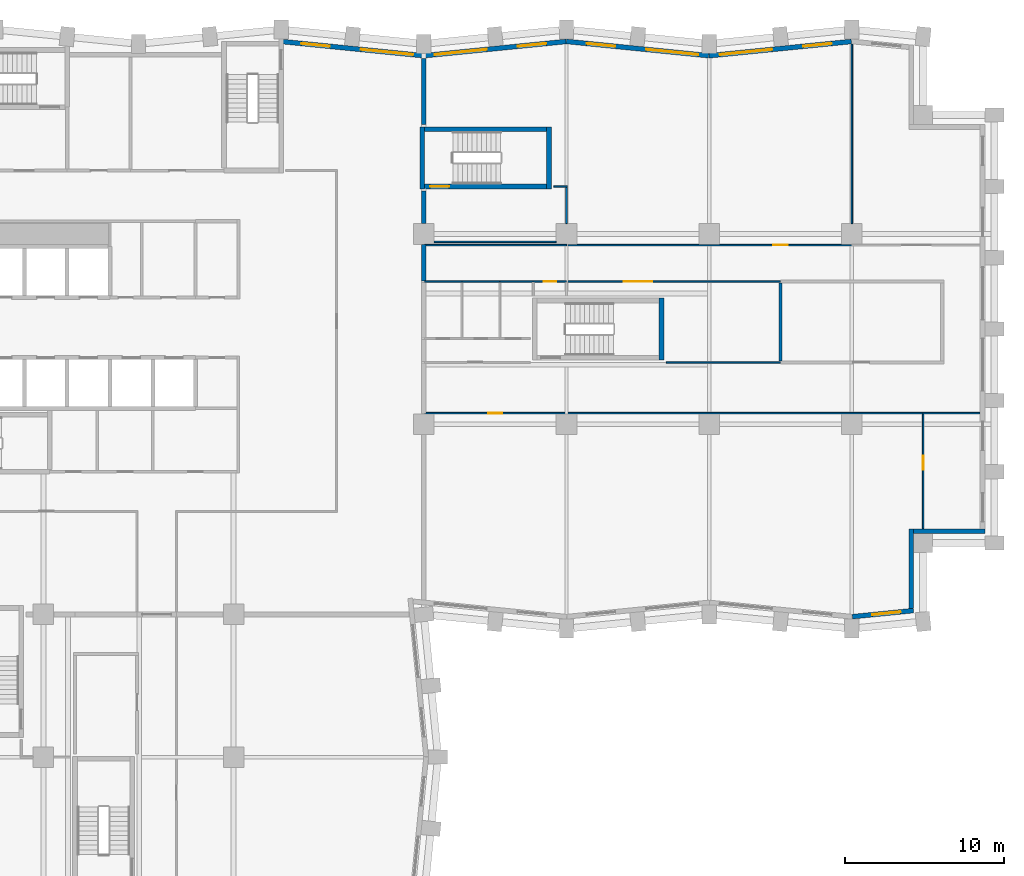
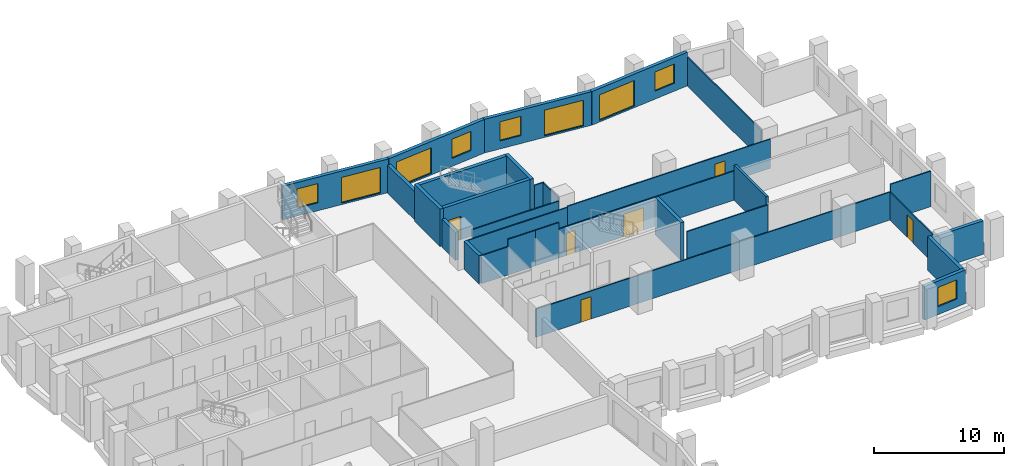
# One storey, part 7 of 11: 31 walls, 9 windows, 6 doors, 15 openings.
"""IFC4 building model written with IfcOpenShell, lengths in metres."""

from ifc_helpers import new_model, si_unit, direction, frame, frame_2d, origin, place, context, subcontext, project, spatial, rectangle, extrude, material, layer, layer_set, type_object, element, fill, save


model = new_model("IFC4")

# Units and contexts
model_context = context("Model", 3, precision=1e-05, world=origin(), true_north=direction((0.0, 1.0)))
body_context = subcontext(model_context, "Body", "Model", "MODEL_VIEW")
ifc_project = project(units=[si_unit("LENGTHUNIT", "METRE"), si_unit("AREAUNIT", "SQUARE_METRE"), si_unit("VOLUMEUNIT", "CUBIC_METRE"), si_unit("PLANEANGLEUNIT", "RADIAN"), si_unit("MASSUNIT", "GRAM", prefix="KILO")], contexts=[model_context])

# Site, building, storey
site_placement = place(None, origin())
site = spatial("IfcSite", under=ifc_project, at=site_placement, CompositionType="ELEMENT")
building_placement = place(site_placement, origin())
building = spatial("IfcBuilding", under=site, at=building_placement, Name="Brondeck Convention Tower", CompositionType="ELEMENT")
storey_placement = place(building_placement, frame((0.0, 0.0, 130.300048828125)))
storey = spatial("IfcBuildingStorey", under=building, at=storey_placement, Name="L31", CompositionType="ELEMENT", Elevation=130.300048828125)

# Walls
ifc_material_1 = material(Name="Concrete compartment wall C30/37", Category="concrete")
ifc_layer_1 = layer(ifc_material_1, 0.300048828125)
ifc_layer_set_1 = layer_set([ifc_layer_1], Name="Compartment wall 300")
wall_type_1 = type_object("IfcWallType", Name="Compartment wall 300", PredefinedType="PARTITIONING", material=ifc_layer_set_1)
wall_1_placement = place(storey_placement, frame((36.0, 48.050048828125, 0.0), z_axis=(0.0, 0.0, 1.0), x_axis=(0.0, 1.0, 0.0)))
element("IfcWall", 1, at=wall_1_placement, inside=storey, type_object=wall_type_1, Name="FLR-L31-W050", PredefinedType="PARTITIONING", context=body_context, shape_type="SweptSolid", body=[
    extrude(rectangle(XDim=2.280029296875, YDim=0.300048828125, at=frame_2d((1.14013671875, 0.0))), origin(), (0.0, 0.0, 1.0), 2.6298828125),
])
wall_2_placement = place(storey_placement, frame((36.0, 51.655029296875, 0.0), z_axis=(0.0, 0.0, 1.0), x_axis=(0.0, 1.0, 0.0)))
element("IfcWall", 2, at=wall_2_placement, inside=storey, type_object=wall_type_1, Name="FLR-L31-W055", PredefinedType="PARTITIONING", context=body_context, shape_type="SweptSolid", body=[
    extrude(rectangle(XDim=2.044921875, YDim=0.300048828125, at=frame_2d((1.0224609375, 0.0))), origin(), (0.0, 0.0, 1.0), 2.6298828125),
])
wall_3_placement = place(storey_placement, frame((36.0, 57.89990234375, 0.0), z_axis=(0.0, 0.0, 1.0), x_axis=(0.0, 1.0, 0.0)))
element("IfcWall", 3, at=wall_3_placement, inside=storey, type_object=wall_type_1, Name="FLR-L31-W060", PredefinedType="PARTITIONING", context=body_context, shape_type="SweptSolid", body=[
    extrude(rectangle(XDim=4.175537109375, YDim=0.300048828125, at=frame_2d((2.087890625, 0.0))), origin(), (0.0, 0.0, 1.0), 2.6298828125),
])

# Wall, opening, window
ifc_material_2 = material(Name="Precast concrete C50/60 bronze finish", Category="concrete")
ifc_layer_2 = layer(ifc_material_2, 0.070068359375, Name="Bronze precast facing")
ifc_material_3 = material(Name="Mineral wool")
ifc_layer_3 = layer(ifc_material_3, 0.159912109375, Name="Insulation")
ifc_material_4 = material(Name="Concrete C35/45", Category="concrete")
ifc_layer_4 = layer(ifc_material_4, 0.070068359375, Name="Backing")
ifc_layer_set_2 = layer_set([ifc_layer_2, ifc_layer_3, ifc_layer_4], Name="External infill wall, precast concrete C50/60 bronze facing")
wall_type_2 = type_object("IfcWallType", Name="External infill wall, precast concrete C50/60 bronze facing", PredefinedType="SOLIDWALL", material=ifc_layer_set_2)
wall_4_placement = place(storey_placement, frame((66.885009765625, 27.2421875, 0.0), z_axis=(0.0, 0.0, 1.0), x_axis=(-0.995037814081, -0.099497480111, 0.0)))
wall_4 = element("IfcWall", 4, at=wall_4_placement, inside=storey, type_object=wall_type_2, Name="ENV-EW-L31-P0-A-S-06", PredefinedType="SOLIDWALL", context=body_context, shape_type="SweptSolid", body=[
    extrude(rectangle(XDim=3.87451171875, YDim=0.300048828125, at=frame_2d((1.937255859375, 0.0))), origin(), (0.0, 0.0, 1.0), 3.14990234375),
])
opening_1_placement = place(wall_4_placement, frame((0.818359375, 0.0, 0.75)))
opening_1 = element("IfcOpeningElement", 5, at=opening_1_placement, cuts=wall_4, Name="Opening W10", PredefinedType="OPENING", context=body_context, shape_type="SweptSolid", body=[
    extrude(rectangle(XDim=1.800048828125, YDim=1.800048828125, at=frame_2d((0.89990234375, 0.89990234375))), frame((0.0, 0.159912109375, 0.0), z_axis=(0.0, -1.0, 0.0), x_axis=(1.0, 0.0, 0.0)), (0.0, 0.0, 1.0), 0.320068359375),
])
ifc_material_5 = material(Name="Bronze tinted double glazing", Category="glass")
window_type_1 = type_object("IfcWindowType", Name="Punched window, bronze tinted", PartitioningType="SINGLE_PANEL", PredefinedType="WINDOW", material=ifc_material_5)
window_1_placement = place(opening_1_placement, origin())
window_1 = element("IfcWindow", 6, at=window_1_placement, inside=storey, type_object=window_type_1, Name="ENV-WN-L31-P0-A-S-06", OverallHeight=1.800048828125, OverallWidth=1.800048828125, PartitioningType="SINGLE_PANEL", PredefinedType="WINDOW", context=body_context, shape_type="SweptSolid", body=[
    extrude(rectangle(XDim=1.800048828125, YDim=1.800048828125, at=frame_2d((0.89990234375, 0.89990234375))), frame((0.0, 0.030029296875, 0.0), z_axis=(0.0, -1.0, 0.0), x_axis=(1.0, 0.0, 0.0)), (0.0, 0.0, 1.0), 0.06005859375),
])
fill(opening_1, window_1)

# Walls
wall_5_placement = place(storey_placement, frame((66.75, 32.39990234375, 0.0), z_axis=(0.0, 0.0, 1.0), x_axis=(0.0, -1.0, 0.0)))
element("IfcWall", 7, at=wall_5_placement, inside=storey, type_object=wall_type_2, Name="ENV-EW-L31-P0-NC-SEA72-01", PredefinedType="SOLIDWALL", context=body_context, shape_type="SweptSolid", body=[
    extrude(rectangle(XDim=5.019287109375, YDim=0.300048828125, at=frame_2d((2.509765625, 0.0))), origin(), (0.0, 0.0, 1.0), 3.14990234375),
])
wall_6_placement = place(storey_placement, frame((71.39990234375, 32.25, 0.0), z_axis=(0.0, 0.0, 1.0), x_axis=(-1.0, 0.0, 0.0)))
element("IfcWall", 8, at=wall_6_placement, inside=storey, type_object=wall_type_2, Name="ENV-EW-L31-P0-NC-SEA72-02", PredefinedType="SOLIDWALL", context=body_context, shape_type="SweptSolid", body=[
    extrude(rectangle(XDim=4.5, YDim=0.300048828125, at=frame_2d((2.25, 0.0))), origin(), (0.0, 0.0, 1.0), 3.14990234375),
])

# Wall, openings, windows
wall_7_placement = place(storey_placement, frame((53.985107421875, 62.244873046875, 0.0), z_axis=(0.0, 0.0, 1.0), x_axis=(0.995037993253, 0.099495688264, 0.0)))
wall_7 = element("IfcWall", 9, at=wall_7_placement, inside=storey, type_object=wall_type_2, Name="ENV-EW-L31-P0-A-N-13", PredefinedType="SOLIDWALL", context=body_context, shape_type="SweptSolid", body=[
    extrude(rectangle(XDim=9.030029296875, YDim=0.300048828125, at=frame_2d((4.51513671875, 0.0))), origin(), (0.0, 0.0, 1.0), 3.14990234375),
])
opening_2_placement = place(wall_7_placement, frame((0.701171875, 0.0, 0.14990234375)))
opening_2 = element("IfcOpeningElement", 10, at=opening_2_placement, cuts=wall_7, Name="Opening W9", PredefinedType="OPENING", context=body_context, shape_type="SweptSolid", body=[
    extrude(rectangle(XDim=3.300048828125, YDim=2.39990234375, at=frame_2d((1.64990234375, 1.199951171875))), frame((0.0, 0.159912109375, 0.0), z_axis=(0.0, -1.0, 0.0), x_axis=(1.0, 0.0, 0.0)), (0.0, 0.0, 1.0), 0.320068359375),
])
opening_3_placement = place(wall_7_placement, frame((5.9736328125, 0.0, 0.75)))
opening_3 = element("IfcOpeningElement", 11, at=opening_3_placement, cuts=wall_7, Name="Opening W10", PredefinedType="OPENING", context=body_context, shape_type="SweptSolid", body=[
    extrude(rectangle(XDim=1.800048828125, YDim=1.800048828125, at=frame_2d((0.89990234375, 0.89990234375))), frame((0.0, 0.159912109375, 0.0), z_axis=(0.0, -1.0, 0.0), x_axis=(1.0, 0.0, 0.0)), (0.0, 0.0, 1.0), 0.320068359375),
])
window_type_2 = type_object("IfcWindowType", Name="Glazed flute window, bronze tinted", PartitioningType="SINGLE_PANEL", PredefinedType="WINDOW", material=ifc_material_5)
window_2_placement = place(opening_2_placement, origin())
window_2 = element("IfcWindow", 12, at=window_2_placement, inside=storey, type_object=window_type_2, Name="ENV-WN-L31-P0-A-N-12", OverallHeight=2.39990234375, OverallWidth=3.300048828125, PartitioningType="SINGLE_PANEL", PredefinedType="WINDOW", context=body_context, shape_type="SweptSolid", body=[
    extrude(rectangle(XDim=3.300048828125, YDim=2.39990234375, at=frame_2d((1.64990234375, 1.199951171875))), frame((0.0, 0.030029296875, 0.0), z_axis=(0.0, -1.0, 0.0), x_axis=(1.0, 0.0, 0.0)), (0.0, 0.0, 1.0), 0.06005859375),
])
fill(opening_2, window_2)
window_3_placement = place(opening_3_placement, origin())
window_3 = element("IfcWindow", 13, at=window_3_placement, inside=storey, type_object=window_type_1, Name="ENV-WN-L31-P0-A-N-13", OverallHeight=1.800048828125, OverallWidth=1.800048828125, PartitioningType="SINGLE_PANEL", PredefinedType="WINDOW", context=body_context, shape_type="SweptSolid", body=[
    extrude(rectangle(XDim=1.800048828125, YDim=1.800048828125, at=frame_2d((0.89990234375, 0.89990234375))), frame((0.0, 0.030029296875, 0.0), z_axis=(0.0, -1.0, 0.0), x_axis=(1.0, 0.0, 0.0)), (0.0, 0.0, 1.0), 0.06005859375),
])
fill(opening_3, window_3)

wall_8_placement = place(storey_placement, frame((44.985107421875, 63.147705078125, 0.0), z_axis=(0.0, 0.0, 1.0), x_axis=(0.995037993253, -0.099495688264, 0.0)))
wall_8 = element("IfcWall", 14, at=wall_8_placement, inside=storey, type_object=wall_type_2, Name="ENV-EW-L31-P0-A-N-11", PredefinedType="SOLIDWALL", context=body_context, shape_type="SweptSolid", body=[
    extrude(rectangle(XDim=9.030029296875, YDim=0.300048828125, at=frame_2d((4.51513671875, 0.0))), origin(), (0.0, 0.0, 1.0), 3.14990234375),
])
opening_4_placement = place(wall_8_placement, frame((1.30126953125, 0.0, 0.75)))
opening_4 = element("IfcOpeningElement", 15, at=opening_4_placement, cuts=wall_8, Name="Opening W10", PredefinedType="OPENING", context=body_context, shape_type="SweptSolid", body=[
    extrude(rectangle(XDim=1.800048828125, YDim=1.800048828125, at=frame_2d((0.89990234375, 0.89990234375))), frame((0.0, 0.159912109375, 0.0), z_axis=(0.0, -1.0, 0.0), x_axis=(1.0, 0.0, 0.0)), (0.0, 0.0, 1.0), 0.320068359375),
])
opening_5_placement = place(wall_8_placement, frame((5.073486328125, 0.0, 0.14990234375)))
opening_5 = element("IfcOpeningElement", 16, at=opening_5_placement, cuts=wall_8, Name="Opening W9", PredefinedType="OPENING", context=body_context, shape_type="SweptSolid", body=[
    extrude(rectangle(XDim=3.300048828125, YDim=2.39990234375, at=frame_2d((1.64990234375, 1.199951171875))), frame((0.0, 0.159912109375, 0.0), z_axis=(0.0, -1.0, 0.0), x_axis=(1.0, 0.0, 0.0)), (0.0, 0.0, 1.0), 0.320068359375),
])
window_4_placement = place(opening_5_placement, origin())
window_4 = element("IfcWindow", 17, at=window_4_placement, inside=storey, type_object=window_type_2, Name="ENV-WN-L31-P0-A-N-11", OverallHeight=2.39990234375, OverallWidth=3.300048828125, PartitioningType="SINGLE_PANEL", PredefinedType="WINDOW", context=body_context, shape_type="SweptSolid", body=[
    extrude(rectangle(XDim=3.300048828125, YDim=2.39990234375, at=frame_2d((1.64990234375, 1.199951171875))), frame((0.0, 0.030029296875, 0.0), z_axis=(0.0, -1.0, 0.0), x_axis=(1.0, 0.0, 0.0)), (0.0, 0.0, 1.0), 0.06005859375),
])
fill(opening_5, window_4)
window_5_placement = place(opening_4_placement, origin())
window_5 = element("IfcWindow", 18, at=window_5_placement, inside=storey, type_object=window_type_1, Name="ENV-WN-L31-P0-A-N-10", OverallHeight=1.800048828125, OverallWidth=1.800048828125, PartitioningType="SINGLE_PANEL", PredefinedType="WINDOW", context=body_context, shape_type="SweptSolid", body=[
    extrude(rectangle(XDim=1.800048828125, YDim=1.800048828125, at=frame_2d((0.89990234375, 0.89990234375))), frame((0.0, 0.030029296875, 0.0), z_axis=(0.0, -1.0, 0.0), x_axis=(1.0, 0.0, 0.0)), (0.0, 0.0, 1.0), 0.06005859375),
])
fill(opening_4, window_5)

wall_9_placement = place(storey_placement, frame((35.985107421875, 62.244873046875, 0.0), z_axis=(0.0, 0.0, 1.0), x_axis=(0.995037993253, 0.099495688264, 0.0)))
wall_9 = element("IfcWall", 19, at=wall_9_placement, inside=storey, type_object=wall_type_2, Name="ENV-EW-L31-P0-A-N-09", PredefinedType="SOLIDWALL", context=body_context, shape_type="SweptSolid", body=[
    extrude(rectangle(XDim=9.030029296875, YDim=0.300048828125, at=frame_2d((4.51513671875, 0.0))), origin(), (0.0, 0.0, 1.0), 3.14990234375),
])
opening_6_placement = place(wall_9_placement, frame((0.701171875, 0.0, 0.14990234375)))
opening_6 = element("IfcOpeningElement", 20, at=opening_6_placement, cuts=wall_9, Name="Opening W9", PredefinedType="OPENING", context=body_context, shape_type="SweptSolid", body=[
    extrude(rectangle(XDim=3.300048828125, YDim=2.39990234375, at=frame_2d((1.64990234375, 1.199951171875))), frame((0.0, 0.159912109375, 0.0), z_axis=(0.0, -1.0, 0.0), x_axis=(1.0, 0.0, 0.0)), (0.0, 0.0, 1.0), 0.320068359375),
])
opening_7_placement = place(wall_9_placement, frame((5.9736328125, 0.0, 0.75)))
opening_7 = element("IfcOpeningElement", 21, at=opening_7_placement, cuts=wall_9, Name="Opening W10", PredefinedType="OPENING", context=body_context, shape_type="SweptSolid", body=[
    extrude(rectangle(XDim=1.800048828125, YDim=1.800048828125, at=frame_2d((0.89990234375, 0.89990234375))), frame((0.0, 0.159912109375, 0.0), z_axis=(0.0, -1.0, 0.0), x_axis=(1.0, 0.0, 0.0)), (0.0, 0.0, 1.0), 0.320068359375),
])
window_6_placement = place(opening_6_placement, origin())
window_6 = element("IfcWindow", 22, at=window_6_placement, inside=storey, type_object=window_type_2, Name="ENV-WN-L31-P0-A-N-08", OverallHeight=2.39990234375, OverallWidth=3.300048828125, PartitioningType="SINGLE_PANEL", PredefinedType="WINDOW", context=body_context, shape_type="SweptSolid", body=[
    extrude(rectangle(XDim=3.300048828125, YDim=2.39990234375, at=frame_2d((1.64990234375, 1.199951171875))), frame((0.0, 0.030029296875, 0.0), z_axis=(0.0, -1.0, 0.0), x_axis=(1.0, 0.0, 0.0)), (0.0, 0.0, 1.0), 0.06005859375),
])
fill(opening_6, window_6)
window_7_placement = place(opening_7_placement, origin())
window_7 = element("IfcWindow", 23, at=window_7_placement, inside=storey, type_object=window_type_1, Name="ENV-WN-L31-P0-A-N-09", OverallHeight=1.800048828125, OverallWidth=1.800048828125, PartitioningType="SINGLE_PANEL", PredefinedType="WINDOW", context=body_context, shape_type="SweptSolid", body=[
    extrude(rectangle(XDim=1.800048828125, YDim=1.800048828125, at=frame_2d((0.89990234375, 0.89990234375))), frame((0.0, 0.030029296875, 0.0), z_axis=(0.0, -1.0, 0.0), x_axis=(1.0, 0.0, 0.0)), (0.0, 0.0, 1.0), 0.06005859375),
])
fill(opening_7, window_7)

wall_10_placement = place(storey_placement, frame((27.07470703125, 63.138916015625, 0.0), z_axis=(0.0, 0.0, 1.0), x_axis=(0.995036108601, -0.099514534519, 0.0)))
wall_10 = element("IfcWall", 24, at=wall_10_placement, inside=storey, type_object=wall_type_2, Name="ENV-EW-L31-P0-A-N-07", PredefinedType="SOLIDWALL", context=body_context, shape_type="SweptSolid", body=[
    extrude(rectangle(XDim=8.93994140625, YDim=0.300048828125, at=frame_2d((4.469970703125, 0.0))), origin(), (0.0, 0.0, 1.0), 3.14990234375),
])
opening_8_placement = place(wall_10_placement, frame((1.211181640625, 0.0, 0.75)))
opening_8 = element("IfcOpeningElement", 25, at=opening_8_placement, cuts=wall_10, Name="Opening W10", PredefinedType="OPENING", context=body_context, shape_type="SweptSolid", body=[
    extrude(rectangle(XDim=1.800048828125, YDim=1.800048828125, at=frame_2d((0.89990234375, 0.89990234375))), frame((0.0, 0.159912109375, 0.0), z_axis=(0.0, -1.0, 0.0), x_axis=(1.0, 0.0, 0.0)), (0.0, 0.0, 1.0), 0.320068359375),
])
opening_9_placement = place(wall_10_placement, frame((4.983642578125, 0.0, 0.14990234375)))
opening_9 = element("IfcOpeningElement", 26, at=opening_9_placement, cuts=wall_10, Name="Opening W9", PredefinedType="OPENING", context=body_context, shape_type="SweptSolid", body=[
    extrude(rectangle(XDim=3.300048828125, YDim=2.39990234375, at=frame_2d((1.64990234375, 1.199951171875))), frame((0.0, 0.159912109375, 0.0), z_axis=(0.0, -1.0, 0.0), x_axis=(1.0, 0.0, 0.0)), (0.0, 0.0, 1.0), 0.320068359375),
])
window_8_placement = place(opening_9_placement, origin())
window_8 = element("IfcWindow", 27, at=window_8_placement, inside=storey, type_object=window_type_2, Name="ENV-WN-L31-P0-A-N-07", OverallHeight=2.39990234375, OverallWidth=3.300048828125, PartitioningType="SINGLE_PANEL", PredefinedType="WINDOW", context=body_context, shape_type="SweptSolid", body=[
    extrude(rectangle(XDim=3.300048828125, YDim=2.39990234375, at=frame_2d((1.64990234375, 1.199951171875))), frame((0.0, 0.030029296875, 0.0), z_axis=(0.0, -1.0, 0.0), x_axis=(1.0, 0.0, 0.0)), (0.0, 0.0, 1.0), 0.06005859375),
])
fill(opening_9, window_8)
window_9_placement = place(opening_8_placement, origin())
window_9 = element("IfcWindow", 28, at=window_9_placement, inside=storey, type_object=window_type_1, Name="ENV-WN-L31-P0-A-N-06", OverallHeight=1.800048828125, OverallWidth=1.800048828125, PartitioningType="SINGLE_PANEL", PredefinedType="WINDOW", context=body_context, shape_type="SweptSolid", body=[
    extrude(rectangle(XDim=1.800048828125, YDim=1.800048828125, at=frame_2d((0.89990234375, 0.89990234375))), frame((0.0, 0.030029296875, 0.0), z_axis=(0.0, -1.0, 0.0), x_axis=(1.0, 0.0, 0.0)), (0.0, 0.0, 1.0), 0.06005859375),
])
fill(opening_8, window_9)

# Wall
ifc_material_6 = material(Name="Concrete block wall C16/20", Category="concrete")
ifc_layer_5 = layer(ifc_material_6, 0.199951171875)
ifc_layer_set_3 = layer_set([ifc_layer_5], Name="Plant room wall 200")
wall_type_3 = type_object("IfcWallType", Name="Plant room wall 200", PredefinedType="PARTITIONING", material=ifc_layer_set_3)
wall_11_placement = place(storey_placement, frame((58.5, 47.89990234375, 0.0), z_axis=(0.0, 0.0, 1.0), x_axis=(0.0, -1.0, 0.0)))
element("IfcWall", 29, at=wall_11_placement, inside=storey, type_object=wall_type_3, Name="FLR-L31-W039", PredefinedType="PARTITIONING", context=body_context, shape_type="SweptSolid", body=[
    extrude(rectangle(XDim=4.89990234375, YDim=0.199951171875, at=frame_2d((2.449951171875, 0.0))), origin(), (0.0, 0.0, 1.0), 3.329833984375),
])

# Wall, opening, door
ifc_material_7 = material(Name="Gypsum board partition on steel studs", Category="steel")
ifc_layer_6 = layer(ifc_material_7, 0.10009765625)
ifc_layer_set_4 = layer_set([ifc_layer_6], Name="Room partition 100")
wall_type_4 = type_object("IfcWallType", Name="Room partition 100", PredefinedType="PARTITIONING", material=ifc_layer_set_4)
wall_12_placement = place(storey_placement, frame((67.5, 39.64990234375, 0.0), z_axis=(0.0, 0.0, 1.0), x_axis=(0.0, -1.0, 0.0)))
wall_12 = element("IfcWall", 30, at=wall_12_placement, inside=storey, type_object=wall_type_4, Name="FLR-L31-W026", PredefinedType="PARTITIONING", context=body_context, shape_type="SweptSolid", body=[
    extrude(rectangle(XDim=7.22998046875, YDim=0.10009765625, at=frame_2d((3.614990234375, 0.0))), origin(), (0.0, 0.0, 1.0), 2.6298828125),
])
opening_10_placement = place(wall_12_placement, frame((2.625, 0.0, 0.0)))
opening_10 = element("IfcOpeningElement", 31, at=opening_10_placement, cuts=wall_12, Name="Opening OF-E-010", PredefinedType="OPENING", context=body_context, shape_type="SweptSolid", body=[
    extrude(rectangle(XDim=0.89990234375, YDim=2.10009765625, at=frame_2d((0.449951171875, 1.050048828125))), frame((0.0, 0.06005859375, 0.0), z_axis=(0.0, -1.0, 0.0), x_axis=(1.0, 0.0, 0.0)), (0.0, 0.0, 1.0), 0.1201171875),
])
ifc_material_8 = material(Name="Solid timber door leaf", Category="wood")
door_type_1 = type_object("IfcDoorType", Name="Single door 900", OperationType="NOTDEFINED", PredefinedType="DOOR", material=ifc_material_8)
door_1_placement = place(opening_10_placement, origin())
door_1 = element("IfcDoor", 32, at=door_1_placement, inside=storey, type_object=door_type_1, Name="Door OF-E-010", OperationType="SINGLE_SWING_LEFT", OverallHeight=2.10009765625, OverallWidth=0.89990234375, PredefinedType="DOOR", context=body_context, shape_type="SweptSolid", body=[
    extrude(rectangle(XDim=0.89990234375, YDim=2.10009765625, at=frame_2d((0.449951171875, 1.050048828125))), frame((0.0, 0.02490234375, 0.0), z_axis=(0.0, -1.0, 0.0), x_axis=(1.0, 0.0, 0.0)), (0.0, 0.0, 1.0), 0.050048828125),
])
fill(opening_10, door_1)

wall_13_placement = place(storey_placement, frame((67.5, 39.699951171875, 0.0), z_axis=(0.0, 0.0, 1.0), x_axis=(-1.0, 0.0, 0.0)))
wall_13 = element("IfcWall", 33, at=wall_13_placement, inside=storey, type_object=wall_type_4, Name="FLR-L31-W027", PredefinedType="PARTITIONING", context=body_context, shape_type="SweptSolid", body=[
    extrude(rectangle(XDim=31.449951171875, YDim=0.10009765625, at=frame_2d((15.72509765625, 0.0))), origin(), (0.0, 0.0, 1.0), 2.6298828125),
])
opening_11_placement = place(wall_13_placement, frame((26.550048828125, 0.0, 0.0)))
opening_11 = element("IfcOpeningElement", 34, at=opening_11_placement, cuts=wall_13, Name="Opening OF-E-009", PredefinedType="OPENING", context=body_context, shape_type="SweptSolid", body=[
    extrude(rectangle(XDim=0.89990234375, YDim=2.10009765625, at=frame_2d((0.449951171875, 1.050048828125))), frame((0.0, 0.06005859375, 0.0), z_axis=(0.0, -1.0, 0.0), x_axis=(1.0, 0.0, 0.0)), (0.0, 0.0, 1.0), 0.1201171875),
])
door_2_placement = place(opening_11_placement, origin())
door_2 = element("IfcDoor", 35, at=door_2_placement, inside=storey, type_object=door_type_1, Name="Door OF-E-009", OperationType="SINGLE_SWING_LEFT", OverallHeight=2.10009765625, OverallWidth=0.89990234375, PredefinedType="DOOR", context=body_context, shape_type="SweptSolid", body=[
    extrude(rectangle(XDim=0.89990234375, YDim=2.10009765625, at=frame_2d((0.449951171875, 1.050048828125))), frame((0.0, 0.02490234375, 0.0), z_axis=(0.0, -1.0, 0.0), x_axis=(1.0, 0.0, 0.0)), (0.0, 0.0, 1.0), 0.050048828125),
])
fill(opening_11, door_2)

# Walls
wall_14_placement = place(storey_placement, frame((71.080078125, 39.699951171875, 0.0), z_axis=(0.0, 0.0, 1.0), x_axis=(-1.0, 0.0, 0.0)))
element("IfcWall", 36, at=wall_14_placement, inside=storey, type_object=wall_type_4, Name="FLR-L31-W028", PredefinedType="PARTITIONING", context=body_context, shape_type="SweptSolid", body=[
    extrude(rectangle(XDim=3.580078125, YDim=0.10009765625, at=frame_2d((1.7900390625, 0.0))), origin(), (0.0, 0.0, 1.0), 3.329833984375),
])
wall_15_placement = place(storey_placement, frame((51.300048828125, 42.89990234375, 0.0), z_axis=(0.0, 0.0, 1.0), x_axis=(1.0, 0.0, 0.0)))
element("IfcWall", 37, at=wall_15_placement, inside=storey, type_object=wall_type_4, Name="FLR-L31-W031", PredefinedType="PARTITIONING", context=body_context, shape_type="SweptSolid", body=[
    extrude(rectangle(XDim=7.199951171875, YDim=0.10009765625, at=frame_2d((3.60009765625, 0.0))), origin(), (0.0, 0.0, 1.0), 2.6298828125),
])
wall_16_placement = place(storey_placement, frame((38.39990234375, 48.0, 0.0), z_axis=(0.0, 0.0, 1.0), x_axis=(-1.0, 0.0, 0.0)))
element("IfcWall", 38, at=wall_16_placement, inside=storey, type_object=wall_type_4, Name="FLR-L31-W044", PredefinedType="PARTITIONING", context=body_context, shape_type="SweptSolid", body=[
    extrude(rectangle(XDim=2.349853515625, YDim=0.10009765625, at=frame_2d((1.1748046875, 0.0))), origin(), (0.0, 0.0, 1.0), 2.6298828125),
])
wall_17_placement = place(storey_placement, frame((40.800048828125, 48.0, 0.0), z_axis=(0.0, 0.0, 1.0), x_axis=(-1.0, 0.0, 0.0)))
element("IfcWall", 39, at=wall_17_placement, inside=storey, type_object=wall_type_4, Name="FLR-L31-W045", PredefinedType="PARTITIONING", context=body_context, shape_type="SweptSolid", body=[
    extrude(rectangle(XDim=2.400146484375, YDim=0.10009765625, at=frame_2d((1.2001953125, 0.0))), origin(), (0.0, 0.0, 1.0), 3.329833984375),
])
wall_18_placement = place(storey_placement, frame((42.89990234375, 48.0, 0.0), z_axis=(0.0, 0.0, 1.0), x_axis=(-1.0, 0.0, 0.0)))
element("IfcWall", 40, at=wall_18_placement, inside=storey, type_object=wall_type_4, Name="FLR-L31-W046", PredefinedType="PARTITIONING", context=body_context, shape_type="SweptSolid", body=[
    extrude(rectangle(XDim=2.099853515625, YDim=0.10009765625, at=frame_2d((1.0498046875, 0.0))), origin(), (0.0, 0.0, 1.0), 3.329833984375),
])

# Wall, opening, door
wall_19_placement = place(storey_placement, frame((45.0, 48.0, 0.0), z_axis=(0.0, 0.0, 1.0), x_axis=(-1.0, 0.0, 0.0)))
wall_19 = element("IfcWall", 41, at=wall_19_placement, inside=storey, type_object=wall_type_4, Name="FLR-L31-W047", PredefinedType="PARTITIONING", context=body_context, shape_type="SweptSolid", body=[
    extrude(rectangle(XDim=2.10009765625, YDim=0.10009765625, at=frame_2d((1.050048828125, 0.0))), origin(), (0.0, 0.0, 1.0), 2.72998046875),
])
opening_12_placement = place(wall_19_placement, frame((0.64990234375, 0.0, 0.0)))
opening_12 = element("IfcOpeningElement", 42, at=opening_12_placement, cuts=wall_19, Name="Opening OF-E-006", PredefinedType="OPENING", context=body_context, shape_type="SweptSolid", body=[
    extrude(rectangle(XDim=0.800048828125, YDim=2.10009765625, at=frame_2d((0.39990234375, 1.050048828125))), frame((0.0, 0.06005859375, 0.0), z_axis=(0.0, -1.0, 0.0), x_axis=(1.0, 0.0, 0.0)), (0.0, 0.0, 1.0), 0.1201171875),
])
ifc_material_9 = material(Name="Steel service door leaf", Category="steel")
door_type_2 = type_object("IfcDoorType", Name="Service door 800", OperationType="NOTDEFINED", PredefinedType="DOOR", material=ifc_material_9)
door_3_placement = place(opening_12_placement, origin())
door_3 = element("IfcDoor", 43, at=door_3_placement, inside=storey, type_object=door_type_2, Name="Door OF-E-006", OperationType="SINGLE_SWING_LEFT", OverallHeight=2.10009765625, OverallWidth=0.800048828125, PredefinedType="DOOR", context=body_context, shape_type="SweptSolid", body=[
    extrude(rectangle(XDim=0.800048828125, YDim=2.10009765625, at=frame_2d((0.39990234375, 1.050048828125))), frame((0.0, 0.02490234375, 0.0), z_axis=(0.0, -1.0, 0.0), x_axis=(1.0, 0.0, 0.0)), (0.0, 0.0, 1.0), 0.050048828125),
])
fill(opening_12, door_3)

wall_20_placement = place(storey_placement, frame((58.5, 48.0, 0.0), z_axis=(0.0, 0.0, 1.0), x_axis=(-1.0, 0.0, 0.0)))
wall_20 = element("IfcWall", 44, at=wall_20_placement, inside=storey, type_object=wall_type_4, Name="FLR-L31-W048", PredefinedType="PARTITIONING", context=body_context, shape_type="SweptSolid", body=[
    extrude(rectangle(XDim=13.5, YDim=0.10009765625, at=frame_2d((6.75, 0.0))), origin(), (0.0, 0.0, 1.0), 2.72998046875),
])
opening_13_placement = place(wall_20_placement, frame((8.10009765625, 0.0, 0.0)))
opening_13 = element("IfcOpeningElement", 45, at=opening_13_placement, cuts=wall_20, Name="Opening OF-E-007", PredefinedType="OPENING", context=body_context, shape_type="SweptSolid", body=[
    extrude(rectangle(XDim=1.800048828125, YDim=2.10009765625, at=frame_2d((0.89990234375, 1.050048828125))), frame((0.0, 0.06005859375, 0.0), z_axis=(0.0, -1.0, 0.0), x_axis=(1.0, 0.0, 0.0)), (0.0, 0.0, 1.0), 0.1201171875),
])
ifc_material_10 = material(Name="Glazed timber double door", Category="wood")
door_type_3 = type_object("IfcDoorType", Name="Double door 1800", OperationType="DOUBLE_DOOR_SINGLE_SWING", PredefinedType="DOOR", material=ifc_material_10)
door_4_placement = place(opening_13_placement, origin())
door_4 = element("IfcDoor", 46, at=door_4_placement, inside=storey, type_object=door_type_3, Name="Door OF-E-007", OperationType="DOUBLE_DOOR_SINGLE_SWING", OverallHeight=2.10009765625, OverallWidth=1.800048828125, PredefinedType="DOOR", context=body_context, shape_type="SweptSolid", body=[
    extrude(rectangle(XDim=1.800048828125, YDim=2.10009765625, at=frame_2d((0.89990234375, 1.050048828125))), frame((0.0, 0.02490234375, 0.0), z_axis=(0.0, -1.0, 0.0), x_axis=(1.0, 0.0, 0.0)), (0.0, 0.0, 1.0), 0.050048828125),
])
fill(opening_13, door_4)

# Wall
wall_21_placement = place(storey_placement, frame((36.050048828125, 50.300048828125, 0.0), z_axis=(0.0, 0.0, 1.0), x_axis=(1.0, 0.0, 0.0)))
element("IfcWall", 47, at=wall_21_placement, inside=storey, type_object=wall_type_4, Name="FLR-L31-W051", PredefinedType="PARTITIONING", context=body_context, shape_type="SweptSolid", body=[
    extrude(rectangle(XDim=8.949951171875, YDim=0.10009765625, at=frame_2d((4.47509765625, 0.0))), origin(), (0.0, 0.0, 1.0), 2.6298828125),
])

# Wall, opening, door
wall_22_placement = place(storey_placement, frame((45.0, 50.300048828125, 0.0), z_axis=(0.0, 0.0, 1.0), x_axis=(1.0, 0.0, 0.0)))
wall_22 = element("IfcWall", 48, at=wall_22_placement, inside=storey, type_object=wall_type_4, Name="FLR-L31-W052", PredefinedType="PARTITIONING", context=body_context, shape_type="SweptSolid", body=[
    extrude(rectangle(XDim=18.0, YDim=0.10009765625, at=frame_2d((9.0, 0.0))), origin(), (0.0, 0.0, 1.0), 2.72998046875),
])
opening_14_placement = place(wall_22_placement, frame((13.050048828125, 0.0, 0.0)))
opening_14 = element("IfcOpeningElement", 49, at=opening_14_placement, cuts=wall_22, Name="Opening OF-E-011", PredefinedType="OPENING", context=body_context, shape_type="SweptSolid", body=[
    extrude(rectangle(XDim=0.89990234375, YDim=2.10009765625, at=frame_2d((0.449951171875, 1.050048828125))), frame((0.0, 0.06005859375, 0.0), z_axis=(0.0, -1.0, 0.0), x_axis=(1.0, 0.0, 0.0)), (0.0, 0.0, 1.0), 0.1201171875),
])
door_5_placement = place(opening_14_placement, origin())
door_5 = element("IfcDoor", 50, at=door_5_placement, inside=storey, type_object=door_type_1, Name="Door OF-E-011", OperationType="SINGLE_SWING_LEFT", OverallHeight=2.10009765625, OverallWidth=0.89990234375, PredefinedType="DOOR", context=body_context, shape_type="SweptSolid", body=[
    extrude(rectangle(XDim=0.89990234375, YDim=2.10009765625, at=frame_2d((0.449951171875, 1.050048828125))), frame((0.0, 0.02490234375, 0.0), z_axis=(0.0, -1.0, 0.0), x_axis=(1.0, 0.0, 0.0)), (0.0, 0.0, 1.0), 0.050048828125),
])
fill(opening_14, door_5)

# Walls
wall_23_placement = place(storey_placement, frame((44.344970703125, 50.5, 0.0), z_axis=(0.0, 0.0, 1.0), x_axis=(-1.0, 0.0, 0.0)))
element("IfcWall", 51, at=wall_23_placement, inside=storey, type_object=wall_type_4, Name="FLR-L31-W054", PredefinedType="PARTITIONING", context=body_context, shape_type="SweptSolid", body=[
    extrude(rectangle(XDim=7.68994140625, YDim=0.10009765625, at=frame_2d((3.844970703125, 0.0))), origin(), (0.0, 0.0, 1.0), 3.329833984375),
])
wall_24_placement = place(storey_placement, frame((45.0, 53.949951171875, 0.0), z_axis=(0.0, 0.0, 1.0), x_axis=(0.0, -1.0, 0.0)))
element("IfcWall", 52, at=wall_24_placement, inside=storey, type_object=wall_type_4, Name="FLR-L31-W056", PredefinedType="PARTITIONING", context=body_context, shape_type="SweptSolid", body=[
    extrude(rectangle(XDim=2.294921875, YDim=0.10009765625, at=frame_2d((1.1474609375, 0.0))), origin(), (0.0, 0.0, 1.0), 2.72998046875),
])
wall_25_placement = place(storey_placement, frame((44.199951171875, 54.0, 0.0), z_axis=(0.0, 0.0, 1.0), x_axis=(1.0, 0.0, 0.0)))
element("IfcWall", 53, at=wall_25_placement, inside=storey, type_object=wall_type_4, Name="FLR-L31-W057", PredefinedType="PARTITIONING", context=body_context, shape_type="SweptSolid", body=[
    extrude(rectangle(XDim=0.85009765625, YDim=0.10009765625, at=frame_2d((0.425048828125, 0.0))), origin(), (0.0, 0.0, 1.0), 2.72998046875),
])
wall_26_placement = place(storey_placement, frame((63.0, 62.9755859375, 0.0), z_axis=(0.0, 0.0, 1.0), x_axis=(0.0, -1.0, 0.0)))
element("IfcWall", 54, at=wall_26_placement, inside=storey, type_object=wall_type_4, Name="FLR-L31-W061", PredefinedType="PARTITIONING", context=body_context, shape_type="SweptSolid", body=[
    extrude(rectangle(XDim=11.320556640625, YDim=0.10009765625, at=frame_2d((5.66015625, 0.0))), origin(), (0.0, 0.0, 1.0), 2.72998046875),
])

# Wall, opening, door
ifc_material_11 = material(Name="Concrete C70/85", Category="concrete")
ifc_layer_7 = layer(ifc_material_11, 0.300048828125)
ifc_layer_set_5 = layer_set([ifc_layer_7], Name="Stair enclosure wall 300 Concrete C70/85")
wall_type_5 = type_object("IfcWallType", Name="Stair enclosure wall 300 Concrete C70/85", PredefinedType="SHEAR", material=ifc_layer_set_5)
wall_27_placement = place(storey_placement, frame((36.050048828125, 54.0, 0.0), z_axis=(0.0, 0.0, 1.0), x_axis=(1.0, 0.0, 0.0)))
wall_27 = element("IfcWall", 55, at=wall_27_placement, inside=storey, type_object=wall_type_5, Name="L31 core wall", PredefinedType="SHEAR", context=body_context, shape_type="SweptSolid", body=[
    extrude(rectangle(XDim=7.699951171875, YDim=0.300048828125, at=frame_2d((3.85009765625, 0.0))), origin(), (0.0, 0.0, 1.0), 3.5),
])
opening_15_placement = place(wall_27_placement, frame((0.35009765625, 0.0, 0.0)))
opening_15 = element("IfcOpeningElement", 56, at=opening_15_placement, cuts=wall_27, Name="Opening C18-19", PredefinedType="OPENING", context=body_context, shape_type="SweptSolid", body=[
    extrude(rectangle(XDim=1.199951171875, YDim=2.199951171875, at=frame_2d((0.60009765625, 1.10009765625))), frame((0.0, 0.159912109375, 0.0), z_axis=(0.0, -1.0, 0.0), x_axis=(1.0, 0.0, 0.0)), (0.0, 0.0, 1.0), 0.320068359375),
])
ifc_material_12 = material(Name="Steel fire door", Category="steel")
door_type_4 = type_object("IfcDoorType", Name="Stair door 1200x2200 EI 90", OperationType="NOTDEFINED", PredefinedType="DOOR", material=ifc_material_12)
door_6_placement = place(opening_15_placement, origin())
door_6 = element("IfcDoor", 57, at=door_6_placement, inside=storey, type_object=door_type_4, Name="L31 Stair door ST-AE", OperationType="SINGLE_SWING_LEFT", OverallHeight=2.199951171875, OverallWidth=1.199951171875, PredefinedType="DOOR", context=body_context, shape_type="SweptSolid", body=[
    extrude(rectangle(XDim=1.199951171875, YDim=2.199951171875, at=frame_2d((0.60009765625, 1.10009765625))), frame((0.0, 0.02490234375, 0.0), z_axis=(0.0, -1.0, 0.0), x_axis=(1.0, 0.0, 0.0)), (0.0, 0.0, 1.0), 0.050048828125),
])
fill(opening_15, door_6)

# Walls
wall_28_placement = place(storey_placement, frame((36.050048828125, 57.60009765625, 0.0), z_axis=(0.0, 0.0, 1.0), x_axis=(1.0, 0.0, 0.0)))
element("IfcWall", 58, at=wall_28_placement, inside=storey, type_object=wall_type_5, Name="L31 core wall", PredefinedType="SHEAR", context=body_context, shape_type="SweptSolid", body=[
    extrude(rectangle(XDim=7.699951171875, YDim=0.300048828125, at=frame_2d((3.85009765625, 0.0))), origin(), (0.0, 0.0, 1.0), 3.5),
])
for number, where, z_axis, x_axis, name in (
    (59, (35.89990234375, 53.85009765625, 0.0), (0.0, 0.0, 1.0), (0.0, 1.0, 0.0), "L31 core wall"),
    (60, (43.89990234375, 53.85009765625, 0.0), (0.0, 0.0, 1.0), (0.0, 1.0, 0.0), "L31 core wall"),
    (61, (51.0, 43.050048828125, 0.0), (0.0, 0.0, 1.0), (0.0, 1.0, 0.0), "L31 core wall"),
):
    element("IfcWall", number, at=place(storey_placement, frame(where, z_axis=z_axis, x_axis=x_axis)), inside=storey, type_object=wall_type_5, Name=name, PredefinedType="SHEAR", context=body_context, shape_type="SweptSolid", body=[
        extrude(rectangle(XDim=3.89990234375, YDim=0.300048828125, at=frame_2d((1.949951171875, 0.0))), origin(), (0.0, 0.0, 1.0), 3.5),
    ])

save(model, "model.ifc")
